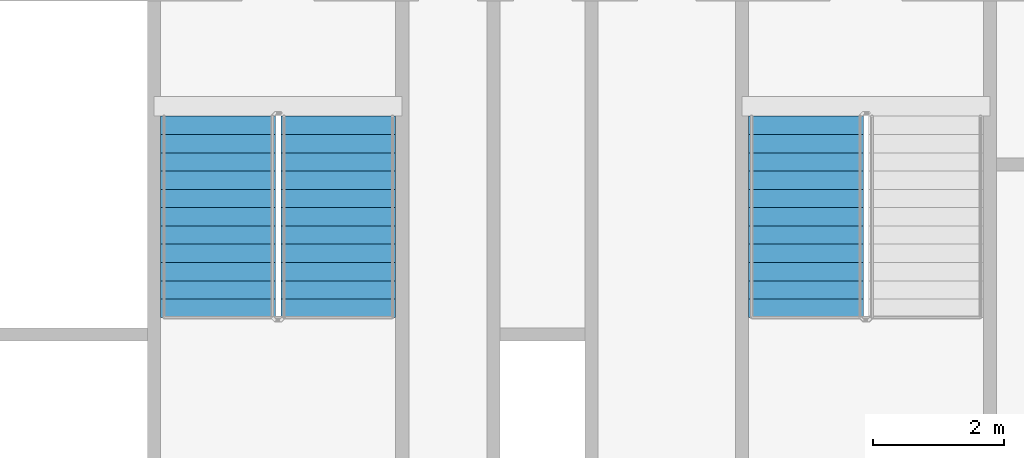
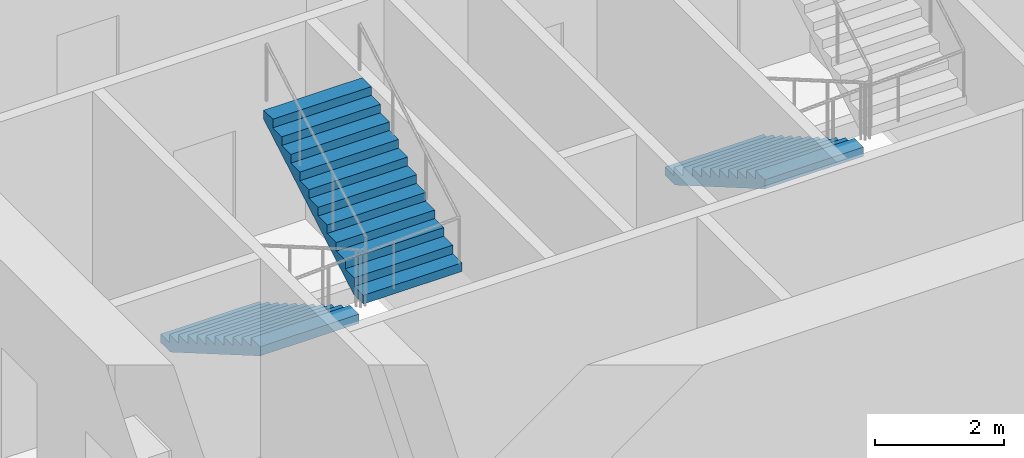
# One storey, part 8 of 15: 3 stair flights, 2 elements without a shape of their own.
"""IFC4 building model written with IfcOpenShell, lengths in metres."""

from ifc_helpers import new_model, si_unit, direction, frame, origin, place, context, subcontext, project, spatial, faceted_brep, material, type_object, element, aggregate, save


model = new_model("IFC4")

# Units and contexts
model_context = context("Model", 3, precision=1e-05, world=origin(), true_north=direction((0.0, 1.0)))
body_context = subcontext(model_context, "Body", "Model", "MODEL_VIEW")
ifc_project = project(units=[si_unit("LENGTHUNIT", "METRE"), si_unit("AREAUNIT", "SQUARE_METRE"), si_unit("VOLUMEUNIT", "CUBIC_METRE"), si_unit("PLANEANGLEUNIT", "RADIAN"), si_unit("MASSUNIT", "GRAM", prefix="KILO")], contexts=[model_context])

# Site, building, storey
site_placement = place(None, origin())
site = spatial("IfcSite", under=ifc_project, at=site_placement, CompositionType="ELEMENT")
building_placement = place(site_placement, origin())
building = spatial("IfcBuilding", under=site, at=building_placement, Name="Tarsis Ring Headquarters", CompositionType="ELEMENT")
storey_placement = place(building_placement, frame((0.0, 0.0, 67.300048828125)))
storey = spatial("IfcBuildingStorey", under=building, at=storey_placement, Name="L14", CompositionType="ELEMENT", Elevation=67.300048828125)

# Stair, stair flights
ifc_material_1 = material(Name="Core stair 1760")
stair_type = type_object("IfcStairType", Name="Core stair 1760", PredefinedType="HALF_TURN_STAIR", material=ifc_material_1)
stair_1_placement = place(storey_placement, origin())
stair_1 = element("IfcStair", 1, at=stair_1_placement, inside=storey, type_object=stair_type, Name="L14 Exit stair C", PredefinedType="HALF_TURN_STAIR")
ifc_material_2 = material(Name="Concrete C40/50", Category="concrete")
stair_flight_type = type_object("IfcStairFlightType", Name="Core stair flight 1760", PredefinedType="STRAIGHT", material=ifc_material_2)
stair_flight_1_placement = place(storey_placement, frame((-5.419921875, -3.659912109375, 0.0), z_axis=(0.0, 0.0, 1.0), x_axis=(0.0, -1.0, 0.0)))
stair_flight_1 = element("IfcStairFlight", 2, at=stair_flight_1_placement, type_object=stair_flight_type, Name="Stair ST3 flight 1", NumberOfRisers=12, NumberOfTreads=11, PredefinedType="STRAIGHT", RiserHeight=0.1625, TreadLength=0.28, context=body_context, shape_type="Brep", body=[
    faceted_brep([(0.0, 0.8798828125, 0.0), (0.0, 0.8798828125, 0.16259765625), (0.280029296875, 0.8798828125, 0.16259765625), (0.280029296875, 0.8798828125, 0.324951171875), (0.56005859375, 0.8798828125, 0.324951171875), (0.56005859375, 0.8798828125, 0.487548828125), (0.840087890625, 0.8798828125, 0.487548828125), (0.840087890625, 0.8798828125, 0.64990234375), (1.1201171875, 0.8798828125, 0.64990234375), (1.1201171875, 0.8798828125, 0.8125), (1.39990234375, 0.8798828125, 0.8125), (1.39990234375, 0.8798828125, 0.97509765625), (1.679931640625, 0.8798828125, 0.97509765625), (1.679931640625, 0.8798828125, 1.137451171875), (1.9599609375, 0.8798828125, 1.137451171875), (1.9599609375, 0.8798828125, 1.300048828125), (2.239990234375, 0.8798828125, 1.300048828125), (2.239990234375, 0.8798828125, 1.46240234375), (2.52001953125, 0.8798828125, 1.46240234375), (2.52001953125, 0.8798828125, 1.625), (2.800048828125, 0.8798828125, 1.625), (2.800048828125, 0.8798828125, 1.78759765625), (3.080078125, 0.8798828125, 1.78759765625), (3.080078125, 0.8798828125, 1.6142578125), (0.298583984375, 0.8798828125, 0.0), (0.298583984375, -0.8798828125, 0.0), (3.080078125, -0.8798828125, 1.6142578125), (3.080078125, -0.8798828125, 1.78759765625), (2.800048828125, -0.8798828125, 1.78759765625), (2.800048828125, -0.8798828125, 1.625), (2.52001953125, -0.8798828125, 1.625), (2.52001953125, -0.8798828125, 1.46240234375), (2.239990234375, -0.8798828125, 1.46240234375), (2.239990234375, -0.8798828125, 1.300048828125), (1.9599609375, -0.8798828125, 1.300048828125), (1.9599609375, -0.8798828125, 1.137451171875), (1.679931640625, -0.8798828125, 1.137451171875), (1.679931640625, -0.8798828125, 0.97509765625), (1.39990234375, -0.8798828125, 0.97509765625), (1.39990234375, -0.8798828125, 0.8125), (1.1201171875, -0.8798828125, 0.8125), (1.1201171875, -0.8798828125, 0.64990234375), (0.840087890625, -0.8798828125, 0.64990234375), (0.840087890625, -0.8798828125, 0.487548828125), (0.56005859375, -0.8798828125, 0.487548828125), (0.56005859375, -0.8798828125, 0.324951171875), (0.280029296875, -0.8798828125, 0.324951171875), (0.280029296875, -0.8798828125, 0.16259765625), (0.0, -0.8798828125, 0.16259765625), (0.0, -0.8798828125, 0.0), (0.0, -0.43994140625, 0.16259765625), (0.0, -0.43994140625, 0.0), (0.0, 0.0, 0.16259765625), (0.0, 0.0, 0.0), (0.0, 0.43994140625, 0.16259765625), (0.0, 0.43994140625, 0.0), (0.280029296875, -0.43994140625, 0.16259765625), (0.280029296875, 0.0, 0.16259765625), (0.280029296875, 0.43994140625, 0.16259765625), (0.280029296875, -0.43994140625, 0.324951171875), (0.280029296875, 0.0, 0.324951171875), (0.280029296875, 0.43994140625, 0.324951171875), (0.56005859375, -0.43994140625, 0.324951171875), (0.56005859375, 0.0, 0.324951171875), (0.56005859375, 0.43994140625, 0.324951171875), (0.56005859375, -0.43994140625, 0.487548828125), (0.56005859375, 0.0, 0.487548828125), (0.56005859375, 0.43994140625, 0.487548828125), (0.840087890625, -0.43994140625, 0.487548828125), (0.840087890625, 0.0, 0.487548828125), (0.840087890625, 0.43994140625, 0.487548828125), (0.840087890625, -0.43994140625, 0.64990234375), (0.840087890625, 0.0, 0.64990234375), (0.840087890625, 0.43994140625, 0.64990234375), (1.1201171875, -0.43994140625, 0.64990234375), (1.1201171875, 0.0, 0.64990234375), (1.1201171875, 0.43994140625, 0.64990234375), (1.1201171875, -0.43994140625, 0.8125), (1.1201171875, 0.0, 0.8125), (1.1201171875, 0.43994140625, 0.8125), (1.39990234375, -0.43994140625, 0.8125), (1.39990234375, 0.0, 0.8125), (1.39990234375, 0.43994140625, 0.8125), (1.39990234375, -0.43994140625, 0.97509765625), (1.39990234375, 0.0, 0.97509765625), (1.39990234375, 0.43994140625, 0.97509765625), (1.679931640625, -0.43994140625, 0.97509765625), (1.679931640625, 0.0, 0.97509765625), (1.679931640625, 0.43994140625, 0.97509765625), (1.679931640625, -0.43994140625, 1.137451171875), (1.679931640625, 0.0, 1.137451171875), (1.679931640625, 0.43994140625, 1.137451171875), (1.9599609375, -0.43994140625, 1.137451171875), (1.9599609375, 0.0, 1.137451171875), (1.9599609375, 0.43994140625, 1.137451171875), (1.9599609375, -0.43994140625, 1.300048828125), (1.9599609375, 0.0, 1.300048828125), (1.9599609375, 0.43994140625, 1.300048828125), (2.239990234375, -0.43994140625, 1.300048828125), (2.239990234375, 0.0, 1.300048828125), (2.239990234375, 0.43994140625, 1.300048828125), (2.239990234375, -0.43994140625, 1.46240234375), (2.239990234375, 0.0, 1.46240234375), (2.239990234375, 0.43994140625, 1.46240234375), (2.52001953125, -0.43994140625, 1.46240234375), (2.52001953125, 0.0, 1.46240234375), (2.52001953125, 0.43994140625, 1.46240234375), (2.52001953125, -0.43994140625, 1.625), (2.52001953125, 0.0, 1.625), (2.52001953125, 0.43994140625, 1.625), (2.800048828125, -0.43994140625, 1.625), (2.800048828125, 0.0, 1.625), (2.800048828125, 0.43994140625, 1.625), (2.800048828125, -0.43994140625, 1.78759765625), (2.800048828125, 0.0, 1.78759765625), (2.800048828125, 0.43994140625, 1.78759765625), (3.080078125, -0.43994140625, 1.78759765625), (3.080078125, 0.0, 1.78759765625), (3.080078125, 0.43994140625, 1.78759765625), (3.080078125, -0.43994140625, 1.6142578125), (3.080078125, 0.0, 1.6142578125), (3.080078125, 0.43994140625, 1.6142578125), (0.298583984375, -0.43994140625, 0.0), (0.298583984375, 0.0, 0.0), (0.298583984375, 0.43994140625, 0.0)], [[[0, 1, 2, 3, 4, 5, 6, 7, 8, 9, 10, 11, 12, 13, 14, 15, 16, 17, 18, 19, 20, 21, 22, 23, 24]], [[25, 26, 27, 28, 29, 30, 31, 32, 33, 34, 35, 36, 37, 38, 39, 40, 41, 42, 43, 44, 45, 46, 47, 48, 49]], [[49, 48, 50, 51]], [[51, 50, 52, 53]], [[53, 52, 54, 55]], [[55, 54, 1, 0]], [[48, 47, 56, 50]], [[50, 56, 57, 52]], [[52, 57, 58, 54]], [[54, 58, 2, 1]], [[47, 46, 59, 56]], [[56, 59, 60, 57]], [[57, 60, 61, 58]], [[58, 61, 3, 2]], [[46, 45, 62, 59]], [[59, 62, 63, 60]], [[60, 63, 64, 61]], [[61, 64, 4, 3]], [[45, 44, 65, 62]], [[62, 65, 66, 63]], [[63, 66, 67, 64]], [[64, 67, 5, 4]], [[44, 43, 68, 65]], [[65, 68, 69, 66]], [[66, 69, 70, 67]], [[67, 70, 6, 5]], [[43, 42, 71, 68]], [[68, 71, 72, 69]], [[69, 72, 73, 70]], [[70, 73, 7, 6]], [[42, 41, 74, 71]], [[71, 74, 75, 72]], [[72, 75, 76, 73]], [[73, 76, 8, 7]], [[41, 40, 77, 74]], [[74, 77, 78, 75]], [[75, 78, 79, 76]], [[76, 79, 9, 8]], [[40, 39, 80, 77]], [[77, 80, 81, 78]], [[78, 81, 82, 79]], [[79, 82, 10, 9]], [[39, 38, 83, 80]], [[80, 83, 84, 81]], [[81, 84, 85, 82]], [[82, 85, 11, 10]], [[38, 37, 86, 83]], [[83, 86, 87, 84]], [[84, 87, 88, 85]], [[85, 88, 12, 11]], [[37, 36, 89, 86]], [[86, 89, 90, 87]], [[87, 90, 91, 88]], [[88, 91, 13, 12]], [[36, 35, 92, 89]], [[89, 92, 93, 90]], [[90, 93, 94, 91]], [[91, 94, 14, 13]], [[35, 34, 95, 92]], [[92, 95, 96, 93]], [[93, 96, 97, 94]], [[94, 97, 15, 14]], [[34, 33, 98, 95]], [[95, 98, 99, 96]], [[96, 99, 100, 97]], [[97, 100, 16, 15]], [[33, 32, 101, 98]], [[98, 101, 102, 99]], [[99, 102, 103, 100]], [[100, 103, 17, 16]], [[32, 31, 104, 101]], [[101, 104, 105, 102]], [[102, 105, 106, 103]], [[103, 106, 18, 17]], [[31, 30, 107, 104]], [[104, 107, 108, 105]], [[105, 108, 109, 106]], [[106, 109, 19, 18]], [[30, 29, 110, 107]], [[107, 110, 111, 108]], [[108, 111, 112, 109]], [[109, 112, 20, 19]], [[29, 28, 113, 110]], [[110, 113, 114, 111]], [[111, 114, 115, 112]], [[112, 115, 21, 20]], [[28, 27, 116, 113]], [[113, 116, 117, 114]], [[114, 117, 118, 115]], [[115, 118, 22, 21]], [[27, 26, 119, 116]], [[116, 119, 120, 117]], [[117, 120, 121, 118]], [[118, 121, 23, 22]], [[26, 25, 122, 119]], [[119, 122, 123, 120]], [[120, 123, 124, 121]], [[121, 124, 24, 23]], [[25, 49, 51, 122]], [[122, 51, 53, 123]], [[123, 53, 55, 124]], [[124, 55, 0, 24]]]),
])
stair_flight_2_placement = place(storey_placement, frame((-3.580078125, -6.739990234375, 1.949951171875), z_axis=(0.0, 0.0, 1.0), x_axis=(0.0, 1.0, 0.0)))
stair_flight_2 = element("IfcStairFlight", 3, at=stair_flight_2_placement, type_object=stair_flight_type, Name="Stair ST3 flight 2", NumberOfRisers=12, NumberOfTreads=11, PredefinedType="STRAIGHT", RiserHeight=0.1625, TreadLength=0.28, context=body_context, shape_type="Brep", body=[
    faceted_brep([(0.0, 0.8798828125, 0.0), (0.0, 0.8798828125, 0.16259765625), (0.280029296875, 0.8798828125, 0.16259765625), (0.280029296875, 0.8798828125, 0.324951171875), (0.56005859375, 0.8798828125, 0.324951171875), (0.56005859375, 0.8798828125, 0.487548828125), (0.840087890625, 0.8798828125, 0.487548828125), (0.840087890625, 0.8798828125, 0.64990234375), (1.1201171875, 0.8798828125, 0.64990234375), (1.1201171875, 0.8798828125, 0.8125), (1.39990234375, 0.8798828125, 0.8125), (1.39990234375, 0.8798828125, 0.97509765625), (1.679931640625, 0.8798828125, 0.97509765625), (1.679931640625, 0.8798828125, 1.137451171875), (1.9599609375, 0.8798828125, 1.137451171875), (1.9599609375, 0.8798828125, 1.300048828125), (2.239990234375, 0.8798828125, 1.300048828125), (2.239990234375, 0.8798828125, 1.46240234375), (2.52001953125, 0.8798828125, 1.46240234375), (2.52001953125, 0.8798828125, 1.625), (2.800048828125, 0.8798828125, 1.625), (2.800048828125, 0.8798828125, 1.78759765625), (3.080078125, 0.8798828125, 1.78759765625), (3.080078125, 0.8798828125, 1.6142578125), (0.298583984375, 0.8798828125, 0.0), (0.298583984375, -0.8798828125, 0.0), (3.080078125, -0.8798828125, 1.6142578125), (3.080078125, -0.8798828125, 1.78759765625), (2.800048828125, -0.8798828125, 1.78759765625), (2.800048828125, -0.8798828125, 1.625), (2.52001953125, -0.8798828125, 1.625), (2.52001953125, -0.8798828125, 1.46240234375), (2.239990234375, -0.8798828125, 1.46240234375), (2.239990234375, -0.8798828125, 1.300048828125), (1.9599609375, -0.8798828125, 1.300048828125), (1.9599609375, -0.8798828125, 1.137451171875), (1.679931640625, -0.8798828125, 1.137451171875), (1.679931640625, -0.8798828125, 0.97509765625), (1.39990234375, -0.8798828125, 0.97509765625), (1.39990234375, -0.8798828125, 0.8125), (1.1201171875, -0.8798828125, 0.8125), (1.1201171875, -0.8798828125, 0.64990234375), (0.840087890625, -0.8798828125, 0.64990234375), (0.840087890625, -0.8798828125, 0.487548828125), (0.56005859375, -0.8798828125, 0.487548828125), (0.56005859375, -0.8798828125, 0.324951171875), (0.280029296875, -0.8798828125, 0.324951171875), (0.280029296875, -0.8798828125, 0.16259765625), (0.0, -0.8798828125, 0.16259765625), (0.0, -0.8798828125, 0.0), (0.0, -0.43994140625, 0.16259765625), (0.0, -0.43994140625, 0.0), (0.0, 0.0, 0.16259765625), (0.0, 0.0, 0.0), (0.0, 0.43994140625, 0.16259765625), (0.0, 0.43994140625, 0.0), (0.280029296875, -0.43994140625, 0.16259765625), (0.280029296875, 0.0, 0.16259765625), (0.280029296875, 0.43994140625, 0.16259765625), (0.280029296875, -0.43994140625, 0.324951171875), (0.280029296875, 0.0, 0.324951171875), (0.280029296875, 0.43994140625, 0.324951171875), (0.56005859375, -0.43994140625, 0.324951171875), (0.56005859375, 0.0, 0.324951171875), (0.56005859375, 0.43994140625, 0.324951171875), (0.56005859375, -0.43994140625, 0.487548828125), (0.56005859375, 0.0, 0.487548828125), (0.56005859375, 0.43994140625, 0.487548828125), (0.840087890625, -0.43994140625, 0.487548828125), (0.840087890625, 0.0, 0.487548828125), (0.840087890625, 0.43994140625, 0.487548828125), (0.840087890625, -0.43994140625, 0.64990234375), (0.840087890625, 0.0, 0.64990234375), (0.840087890625, 0.43994140625, 0.64990234375), (1.1201171875, -0.43994140625, 0.64990234375), (1.1201171875, 0.0, 0.64990234375), (1.1201171875, 0.43994140625, 0.64990234375), (1.1201171875, -0.43994140625, 0.8125), (1.1201171875, 0.0, 0.8125), (1.1201171875, 0.43994140625, 0.8125), (1.39990234375, -0.43994140625, 0.8125), (1.39990234375, 0.0, 0.8125), (1.39990234375, 0.43994140625, 0.8125), (1.39990234375, -0.43994140625, 0.97509765625), (1.39990234375, 0.0, 0.97509765625), (1.39990234375, 0.43994140625, 0.97509765625), (1.679931640625, -0.43994140625, 0.97509765625), (1.679931640625, 0.0, 0.97509765625), (1.679931640625, 0.43994140625, 0.97509765625), (1.679931640625, -0.43994140625, 1.137451171875), (1.679931640625, 0.0, 1.137451171875), (1.679931640625, 0.43994140625, 1.137451171875), (1.9599609375, -0.43994140625, 1.137451171875), (1.9599609375, 0.0, 1.137451171875), (1.9599609375, 0.43994140625, 1.137451171875), (1.9599609375, -0.43994140625, 1.300048828125), (1.9599609375, 0.0, 1.300048828125), (1.9599609375, 0.43994140625, 1.300048828125), (2.239990234375, -0.43994140625, 1.300048828125), (2.239990234375, 0.0, 1.300048828125), (2.239990234375, 0.43994140625, 1.300048828125), (2.239990234375, -0.43994140625, 1.46240234375), (2.239990234375, 0.0, 1.46240234375), (2.239990234375, 0.43994140625, 1.46240234375), (2.52001953125, -0.43994140625, 1.46240234375), (2.52001953125, 0.0, 1.46240234375), (2.52001953125, 0.43994140625, 1.46240234375), (2.52001953125, -0.43994140625, 1.625), (2.52001953125, 0.0, 1.625), (2.52001953125, 0.43994140625, 1.625), (2.800048828125, -0.43994140625, 1.625), (2.800048828125, 0.0, 1.625), (2.800048828125, 0.43994140625, 1.625), (2.800048828125, -0.43994140625, 1.78759765625), (2.800048828125, 0.0, 1.78759765625), (2.800048828125, 0.43994140625, 1.78759765625), (3.080078125, -0.43994140625, 1.78759765625), (3.080078125, 0.0, 1.78759765625), (3.080078125, 0.43994140625, 1.78759765625), (3.080078125, -0.43994140625, 1.6142578125), (3.080078125, 0.0, 1.6142578125), (3.080078125, 0.43994140625, 1.6142578125), (0.298583984375, -0.43994140625, 0.0), (0.298583984375, 0.0, 0.0), (0.298583984375, 0.43994140625, 0.0)], [[[0, 1, 2, 3, 4, 5, 6, 7, 8, 9, 10, 11, 12, 13, 14, 15, 16, 17, 18, 19, 20, 21, 22, 23, 24]], [[25, 26, 27, 28, 29, 30, 31, 32, 33, 34, 35, 36, 37, 38, 39, 40, 41, 42, 43, 44, 45, 46, 47, 48, 49]], [[49, 48, 50, 51]], [[51, 50, 52, 53]], [[53, 52, 54, 55]], [[55, 54, 1, 0]], [[48, 47, 56, 50]], [[50, 56, 57, 52]], [[52, 57, 58, 54]], [[54, 58, 2, 1]], [[47, 46, 59, 56]], [[56, 59, 60, 57]], [[57, 60, 61, 58]], [[58, 61, 3, 2]], [[46, 45, 62, 59]], [[59, 62, 63, 60]], [[60, 63, 64, 61]], [[61, 64, 4, 3]], [[45, 44, 65, 62]], [[62, 65, 66, 63]], [[63, 66, 67, 64]], [[64, 67, 5, 4]], [[44, 43, 68, 65]], [[65, 68, 69, 66]], [[66, 69, 70, 67]], [[67, 70, 6, 5]], [[43, 42, 71, 68]], [[68, 71, 72, 69]], [[69, 72, 73, 70]], [[70, 73, 7, 6]], [[42, 41, 74, 71]], [[71, 74, 75, 72]], [[72, 75, 76, 73]], [[73, 76, 8, 7]], [[41, 40, 77, 74]], [[74, 77, 78, 75]], [[75, 78, 79, 76]], [[76, 79, 9, 8]], [[40, 39, 80, 77]], [[77, 80, 81, 78]], [[78, 81, 82, 79]], [[79, 82, 10, 9]], [[39, 38, 83, 80]], [[80, 83, 84, 81]], [[81, 84, 85, 82]], [[82, 85, 11, 10]], [[38, 37, 86, 83]], [[83, 86, 87, 84]], [[84, 87, 88, 85]], [[85, 88, 12, 11]], [[37, 36, 89, 86]], [[86, 89, 90, 87]], [[87, 90, 91, 88]], [[88, 91, 13, 12]], [[36, 35, 92, 89]], [[89, 92, 93, 90]], [[90, 93, 94, 91]], [[91, 94, 14, 13]], [[35, 34, 95, 92]], [[92, 95, 96, 93]], [[93, 96, 97, 94]], [[94, 97, 15, 14]], [[34, 33, 98, 95]], [[95, 98, 99, 96]], [[96, 99, 100, 97]], [[97, 100, 16, 15]], [[33, 32, 101, 98]], [[98, 101, 102, 99]], [[99, 102, 103, 100]], [[100, 103, 17, 16]], [[32, 31, 104, 101]], [[101, 104, 105, 102]], [[102, 105, 106, 103]], [[103, 106, 18, 17]], [[31, 30, 107, 104]], [[104, 107, 108, 105]], [[105, 108, 109, 106]], [[106, 109, 19, 18]], [[30, 29, 110, 107]], [[107, 110, 111, 108]], [[108, 111, 112, 109]], [[109, 112, 20, 19]], [[29, 28, 113, 110]], [[110, 113, 114, 111]], [[111, 114, 115, 112]], [[112, 115, 21, 20]], [[28, 27, 116, 113]], [[113, 116, 117, 114]], [[114, 117, 118, 115]], [[115, 118, 22, 21]], [[27, 26, 119, 116]], [[116, 119, 120, 117]], [[117, 120, 121, 118]], [[118, 121, 23, 22]], [[26, 25, 122, 119]], [[119, 122, 123, 120]], [[120, 123, 124, 121]], [[121, 124, 24, 23]], [[25, 49, 51, 122]], [[122, 51, 53, 123]], [[123, 53, 55, 124]], [[124, 55, 0, 24]]]),
])
aggregate(stair_1, [stair_flight_1, stair_flight_2])

# Stair, stair flight
stair_2_placement = place(storey_placement, origin())
stair_2 = element("IfcStair", 4, at=stair_2_placement, inside=storey, type_object=stair_type, Name="L14 Exit stair D", PredefinedType="HALF_TURN_STAIR")
stair_flight_3_placement = place(storey_placement, frame((3.580078125, -3.659912109375, 0.0), z_axis=(0.0, 0.0, 1.0), x_axis=(0.0, -1.0, 0.0)))
stair_flight_3 = element("IfcStairFlight", 5, at=stair_flight_3_placement, type_object=stair_flight_type, Name="Stair ST4 flight 1", NumberOfRisers=12, NumberOfTreads=11, PredefinedType="STRAIGHT", RiserHeight=0.1625, TreadLength=0.28, context=body_context, shape_type="Brep", body=[
    faceted_brep([(0.0, 0.8798828125, 0.0), (0.0, 0.8798828125, 0.16259765625), (0.280029296875, 0.8798828125, 0.16259765625), (0.280029296875, 0.8798828125, 0.324951171875), (0.56005859375, 0.8798828125, 0.324951171875), (0.56005859375, 0.8798828125, 0.487548828125), (0.840087890625, 0.8798828125, 0.487548828125), (0.840087890625, 0.8798828125, 0.64990234375), (1.1201171875, 0.8798828125, 0.64990234375), (1.1201171875, 0.8798828125, 0.8125), (1.39990234375, 0.8798828125, 0.8125), (1.39990234375, 0.8798828125, 0.97509765625), (1.679931640625, 0.8798828125, 0.97509765625), (1.679931640625, 0.8798828125, 1.137451171875), (1.9599609375, 0.8798828125, 1.137451171875), (1.9599609375, 0.8798828125, 1.300048828125), (2.239990234375, 0.8798828125, 1.300048828125), (2.239990234375, 0.8798828125, 1.46240234375), (2.52001953125, 0.8798828125, 1.46240234375), (2.52001953125, 0.8798828125, 1.625), (2.800048828125, 0.8798828125, 1.625), (2.800048828125, 0.8798828125, 1.78759765625), (3.080078125, 0.8798828125, 1.78759765625), (3.080078125, 0.8798828125, 1.6142578125), (0.298583984375, 0.8798828125, 0.0), (0.298583984375, -0.8798828125, 0.0), (3.080078125, -0.8798828125, 1.6142578125), (3.080078125, -0.8798828125, 1.78759765625), (2.800048828125, -0.8798828125, 1.78759765625), (2.800048828125, -0.8798828125, 1.625), (2.52001953125, -0.8798828125, 1.625), (2.52001953125, -0.8798828125, 1.46240234375), (2.239990234375, -0.8798828125, 1.46240234375), (2.239990234375, -0.8798828125, 1.300048828125), (1.9599609375, -0.8798828125, 1.300048828125), (1.9599609375, -0.8798828125, 1.137451171875), (1.679931640625, -0.8798828125, 1.137451171875), (1.679931640625, -0.8798828125, 0.97509765625), (1.39990234375, -0.8798828125, 0.97509765625), (1.39990234375, -0.8798828125, 0.8125), (1.1201171875, -0.8798828125, 0.8125), (1.1201171875, -0.8798828125, 0.64990234375), (0.840087890625, -0.8798828125, 0.64990234375), (0.840087890625, -0.8798828125, 0.487548828125), (0.56005859375, -0.8798828125, 0.487548828125), (0.56005859375, -0.8798828125, 0.324951171875), (0.280029296875, -0.8798828125, 0.324951171875), (0.280029296875, -0.8798828125, 0.16259765625), (0.0, -0.8798828125, 0.16259765625), (0.0, -0.8798828125, 0.0), (0.0, -0.43994140625, 0.16259765625), (0.0, -0.43994140625, 0.0), (0.0, 0.0, 0.16259765625), (0.0, 0.0, 0.0), (0.0, 0.43994140625, 0.16259765625), (0.0, 0.43994140625, 0.0), (0.280029296875, -0.43994140625, 0.16259765625), (0.280029296875, 0.0, 0.16259765625), (0.280029296875, 0.43994140625, 0.16259765625), (0.280029296875, -0.43994140625, 0.324951171875), (0.280029296875, 0.0, 0.324951171875), (0.280029296875, 0.43994140625, 0.324951171875), (0.56005859375, -0.43994140625, 0.324951171875), (0.56005859375, 0.0, 0.324951171875), (0.56005859375, 0.43994140625, 0.324951171875), (0.56005859375, -0.43994140625, 0.487548828125), (0.56005859375, 0.0, 0.487548828125), (0.56005859375, 0.43994140625, 0.487548828125), (0.840087890625, -0.43994140625, 0.487548828125), (0.840087890625, 0.0, 0.487548828125), (0.840087890625, 0.43994140625, 0.487548828125), (0.840087890625, -0.43994140625, 0.64990234375), (0.840087890625, 0.0, 0.64990234375), (0.840087890625, 0.43994140625, 0.64990234375), (1.1201171875, -0.43994140625, 0.64990234375), (1.1201171875, 0.0, 0.64990234375), (1.1201171875, 0.43994140625, 0.64990234375), (1.1201171875, -0.43994140625, 0.8125), (1.1201171875, 0.0, 0.8125), (1.1201171875, 0.43994140625, 0.8125), (1.39990234375, -0.43994140625, 0.8125), (1.39990234375, 0.0, 0.8125), (1.39990234375, 0.43994140625, 0.8125), (1.39990234375, -0.43994140625, 0.97509765625), (1.39990234375, 0.0, 0.97509765625), (1.39990234375, 0.43994140625, 0.97509765625), (1.679931640625, -0.43994140625, 0.97509765625), (1.679931640625, 0.0, 0.97509765625), (1.679931640625, 0.43994140625, 0.97509765625), (1.679931640625, -0.43994140625, 1.137451171875), (1.679931640625, 0.0, 1.137451171875), (1.679931640625, 0.43994140625, 1.137451171875), (1.9599609375, -0.43994140625, 1.137451171875), (1.9599609375, 0.0, 1.137451171875), (1.9599609375, 0.43994140625, 1.137451171875), (1.9599609375, -0.43994140625, 1.300048828125), (1.9599609375, 0.0, 1.300048828125), (1.9599609375, 0.43994140625, 1.300048828125), (2.239990234375, -0.43994140625, 1.300048828125), (2.239990234375, 0.0, 1.300048828125), (2.239990234375, 0.43994140625, 1.300048828125), (2.239990234375, -0.43994140625, 1.46240234375), (2.239990234375, 0.0, 1.46240234375), (2.239990234375, 0.43994140625, 1.46240234375), (2.52001953125, -0.43994140625, 1.46240234375), (2.52001953125, 0.0, 1.46240234375), (2.52001953125, 0.43994140625, 1.46240234375), (2.52001953125, -0.43994140625, 1.625), (2.52001953125, 0.0, 1.625), (2.52001953125, 0.43994140625, 1.625), (2.800048828125, -0.43994140625, 1.625), (2.800048828125, 0.0, 1.625), (2.800048828125, 0.43994140625, 1.625), (2.800048828125, -0.43994140625, 1.78759765625), (2.800048828125, 0.0, 1.78759765625), (2.800048828125, 0.43994140625, 1.78759765625), (3.080078125, -0.43994140625, 1.78759765625), (3.080078125, 0.0, 1.78759765625), (3.080078125, 0.43994140625, 1.78759765625), (3.080078125, -0.43994140625, 1.6142578125), (3.080078125, 0.0, 1.6142578125), (3.080078125, 0.43994140625, 1.6142578125), (0.298583984375, -0.43994140625, 0.0), (0.298583984375, 0.0, 0.0), (0.298583984375, 0.43994140625, 0.0)], [[[0, 1, 2, 3, 4, 5, 6, 7, 8, 9, 10, 11, 12, 13, 14, 15, 16, 17, 18, 19, 20, 21, 22, 23, 24]], [[25, 26, 27, 28, 29, 30, 31, 32, 33, 34, 35, 36, 37, 38, 39, 40, 41, 42, 43, 44, 45, 46, 47, 48, 49]], [[49, 48, 50, 51]], [[51, 50, 52, 53]], [[53, 52, 54, 55]], [[55, 54, 1, 0]], [[48, 47, 56, 50]], [[50, 56, 57, 52]], [[52, 57, 58, 54]], [[54, 58, 2, 1]], [[47, 46, 59, 56]], [[56, 59, 60, 57]], [[57, 60, 61, 58]], [[58, 61, 3, 2]], [[46, 45, 62, 59]], [[59, 62, 63, 60]], [[60, 63, 64, 61]], [[61, 64, 4, 3]], [[45, 44, 65, 62]], [[62, 65, 66, 63]], [[63, 66, 67, 64]], [[64, 67, 5, 4]], [[44, 43, 68, 65]], [[65, 68, 69, 66]], [[66, 69, 70, 67]], [[67, 70, 6, 5]], [[43, 42, 71, 68]], [[68, 71, 72, 69]], [[69, 72, 73, 70]], [[70, 73, 7, 6]], [[42, 41, 74, 71]], [[71, 74, 75, 72]], [[72, 75, 76, 73]], [[73, 76, 8, 7]], [[41, 40, 77, 74]], [[74, 77, 78, 75]], [[75, 78, 79, 76]], [[76, 79, 9, 8]], [[40, 39, 80, 77]], [[77, 80, 81, 78]], [[78, 81, 82, 79]], [[79, 82, 10, 9]], [[39, 38, 83, 80]], [[80, 83, 84, 81]], [[81, 84, 85, 82]], [[82, 85, 11, 10]], [[38, 37, 86, 83]], [[83, 86, 87, 84]], [[84, 87, 88, 85]], [[85, 88, 12, 11]], [[37, 36, 89, 86]], [[86, 89, 90, 87]], [[87, 90, 91, 88]], [[88, 91, 13, 12]], [[36, 35, 92, 89]], [[89, 92, 93, 90]], [[90, 93, 94, 91]], [[91, 94, 14, 13]], [[35, 34, 95, 92]], [[92, 95, 96, 93]], [[93, 96, 97, 94]], [[94, 97, 15, 14]], [[34, 33, 98, 95]], [[95, 98, 99, 96]], [[96, 99, 100, 97]], [[97, 100, 16, 15]], [[33, 32, 101, 98]], [[98, 101, 102, 99]], [[99, 102, 103, 100]], [[100, 103, 17, 16]], [[32, 31, 104, 101]], [[101, 104, 105, 102]], [[102, 105, 106, 103]], [[103, 106, 18, 17]], [[31, 30, 107, 104]], [[104, 107, 108, 105]], [[105, 108, 109, 106]], [[106, 109, 19, 18]], [[30, 29, 110, 107]], [[107, 110, 111, 108]], [[108, 111, 112, 109]], [[109, 112, 20, 19]], [[29, 28, 113, 110]], [[110, 113, 114, 111]], [[111, 114, 115, 112]], [[112, 115, 21, 20]], [[28, 27, 116, 113]], [[113, 116, 117, 114]], [[114, 117, 118, 115]], [[115, 118, 22, 21]], [[27, 26, 119, 116]], [[116, 119, 120, 117]], [[117, 120, 121, 118]], [[118, 121, 23, 22]], [[26, 25, 122, 119]], [[119, 122, 123, 120]], [[120, 123, 124, 121]], [[121, 124, 24, 23]], [[25, 49, 51, 122]], [[122, 51, 53, 123]], [[123, 53, 55, 124]], [[124, 55, 0, 24]]]),
])
aggregate(stair_2, [stair_flight_3])

save(model, "model.ifc")
